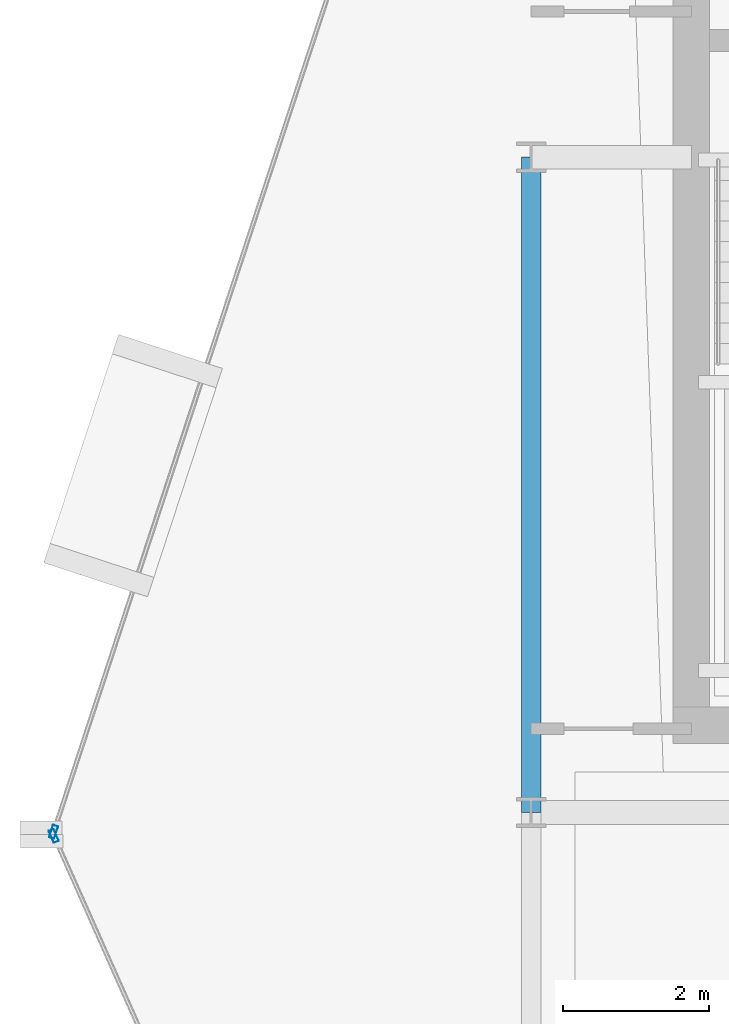
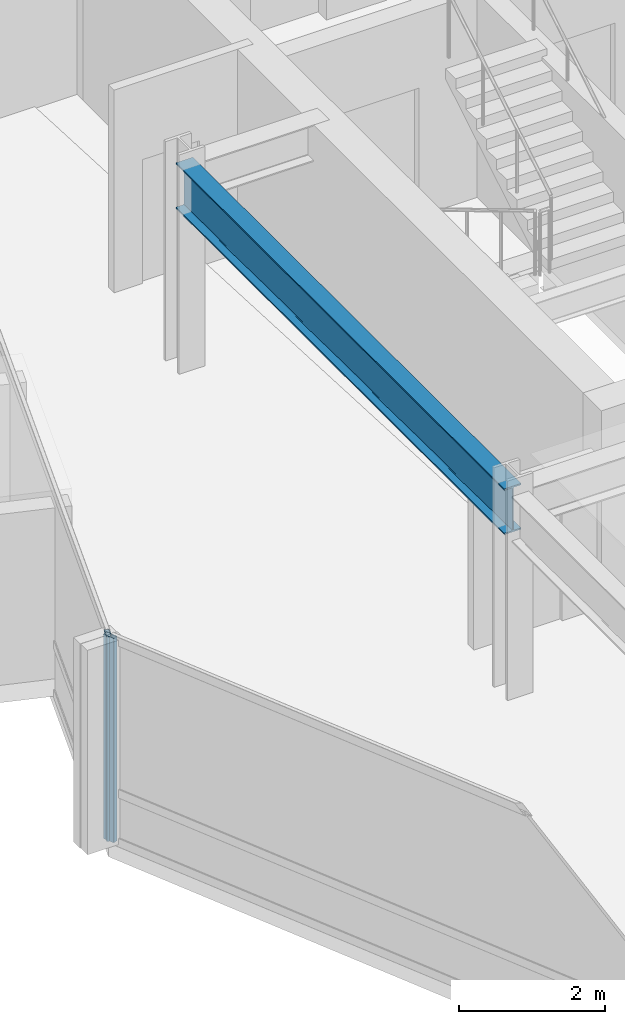
# One storey, part 6 of 27: 2 members, 1 beam, 2 elements without a shape of their own.
"""IFC4 building model written with IfcOpenShell, lengths in metres."""

from ifc_helpers import new_model, si_unit, direction, frame, origin, origin_2d, place, context, subcontext, project, spatial, hollow_rectangle, i_section, extrude, material, layer, layer_set, material_profile, profile_set, type_object, element, aggregate, save


model = new_model("IFC4")

# Units and contexts
model_context = context("Model", 3, precision=1e-05, world=origin(), true_north=direction((0.0, 1.0)))
body_context = subcontext(model_context, "Body", "Model", "MODEL_VIEW")
ifc_project = project(units=[si_unit("LENGTHUNIT", "METRE"), si_unit("AREAUNIT", "SQUARE_METRE"), si_unit("VOLUMEUNIT", "CUBIC_METRE"), si_unit("PLANEANGLEUNIT", "RADIAN"), si_unit("MASSUNIT", "GRAM", prefix="KILO")], contexts=[model_context])

# Site, building, storey
site_placement = place(None, origin())
site = spatial("IfcSite", under=ifc_project, at=site_placement, CompositionType="ELEMENT")
building_placement = place(site_placement, origin())
building = spatial("IfcBuilding", under=site, at=building_placement, Name="Solvaryn Broadcast Tower", CompositionType="ELEMENT")
storey_placement = place(building_placement, frame((0.0, 0.0, 185.300048828125)))
storey = spatial("IfcBuildingStorey", under=building, at=storey_placement, Name="L46", CompositionType="ELEMENT", Elevation=185.300048828125)

# Beam
ifc_material_1 = material(Name="Steel ASTM A992 Grade 50", Category="steel")
ifc_material_profile_1 = material_profile(ifc_material_1, i_section(OverallWidth=0.26708984375, OverallDepth=0.76611328125, WebThickness=0.014892578125, FlangeThickness=0.023681640625, FilletRadius=0.01806640625, at=origin_2d()))
ifc_profile_set_1 = profile_set([ifc_material_profile_1], Name="Steel ASTM A992 Grade 50")
beam_type = type_object("IfcBeamType", Name="BM-SP2-W30X124", PredefinedType="USERDEFINED", material=ifc_profile_set_1)
beam_placement = place(storey_placement, frame((9.0, 27.0, 3.036865234375), z_axis=(0.0, 1.0, 0.0), x_axis=(-1.0, 0.0, 0.0)))
element("IfcBeam", 1, at=beam_placement, inside=storey, type_object=beam_type, Name="L46 Spandrel Beam Y (27-36 @ X=9)", ObjectType="SPANDREL", PredefinedType="USERDEFINED", context=body_context, shape_type="SweptSolid", body=[
    extrude(i_section(OverallWidth=0.26708984375, OverallDepth=0.76611328125, WebThickness=0.014892578125, FlangeThickness=0.023681640625, FilletRadius=0.01806640625, at=origin_2d()), origin(), (0.0, 0.0, 1.0), 9.0),
])

# Curtain wall, member
ifc_material_2 = material(Name="Aluminium and Terracotta Unitised Curtain Wall", Category="masonry")
ifc_layer_1 = layer(ifc_material_2, 0.199951171875)
ifc_layer_set_1 = layer_set([ifc_layer_1], Name="CW-SYS2-LOWMID")
curtain_wall_type_1 = type_object("IfcCurtainWallType", Name="CW-SYS2-LOWMID", PredefinedType="NOTDEFINED", material=ifc_layer_set_1)
curtain_wall_1_placement = place(storey_placement, origin())
curtain_wall_1 = element("IfcCurtainWall", 2, at=curtain_wall_1_placement, inside=storey, type_object=curtain_wall_type_1, Name="L46 Curtain Wall DR1", PredefinedType="NOTDEFINED")
ifc_material_3 = material(Name="Anodised Aluminium 6063-T6", Category="aluminium")
ifc_material_profile_2 = material_profile(ifc_material_3, hollow_rectangle(XDim=0.074951171875, YDim=0.179931640625, WallThickness=0.00390625, InnerFilletRadius=0.00390625, OuterFilletRadius=0.008056640625, at=origin_2d()))
ifc_profile_set_2 = profile_set([ifc_material_profile_2], Name="Anodised Aluminium 6063-T6")
member_type = type_object("IfcMemberType", Name="CW-MUL-180", PredefinedType="MULLION", material=ifc_profile_set_2)
member_1_placement = place(storey_placement, frame((2.4423828125, 26.734619140625, 0.0), z_axis=(0.0, 0.0, 1.0), x_axis=(0.950226902099, -0.311558717623, 0.0)))
member_1 = element("IfcMember", 3, at=member_1_placement, type_object=member_type, Name="CWS2 mullion 2", PredefinedType="MULLION", context=body_context, shape_type="SweptSolid", body=[
    extrude(hollow_rectangle(XDim=0.074951171875, YDim=0.179931640625, WallThickness=0.00390625, InnerFilletRadius=0.00390625, OuterFilletRadius=0.008056640625, at=origin_2d()), origin(), (0.0, 0.0, 1.0), 3.419921875),
])
aggregate(curtain_wall_1, [member_1])

ifc_material_4 = material(Name="Aluminium and Terracotta Unitised Curtain Wall", Category="masonry")
ifc_layer_2 = layer(ifc_material_4, 0.239990234375)
ifc_layer_set_2 = layer_set([ifc_layer_2], Name="CW-SYS3-BAYBOX")
curtain_wall_type_2 = type_object("IfcCurtainWallType", Name="CW-SYS3-BAYBOX", PredefinedType="NOTDEFINED", material=ifc_layer_set_2)
curtain_wall_2_placement = place(storey_placement, origin())
curtain_wall_2 = element("IfcCurtainWall", 4, at=curtain_wall_2_placement, inside=storey, type_object=curtain_wall_type_2, Name="L46 Curtain Wall DR2", PredefinedType="NOTDEFINED")
member_2_placement = place(storey_placement, frame((2.445068359375, 26.678466796875, 0.0), z_axis=(0.0, 0.0, 1.0), x_axis=(0.913916902365, 0.405901337237, 0.0)))
member_2 = element("IfcMember", 5, at=member_2_placement, type_object=member_type, Name="CWS3 mullion 1", PredefinedType="MULLION", context=body_context, shape_type="SweptSolid", body=[
    extrude(hollow_rectangle(XDim=0.074951171875, YDim=0.179931640625, WallThickness=0.00390625, InnerFilletRadius=0.00390625, OuterFilletRadius=0.008056640625, at=origin_2d()), origin(), (0.0, 0.0, 1.0), 3.419921875),
])
aggregate(curtain_wall_2, [member_2])

save(model, "model.ifc")
